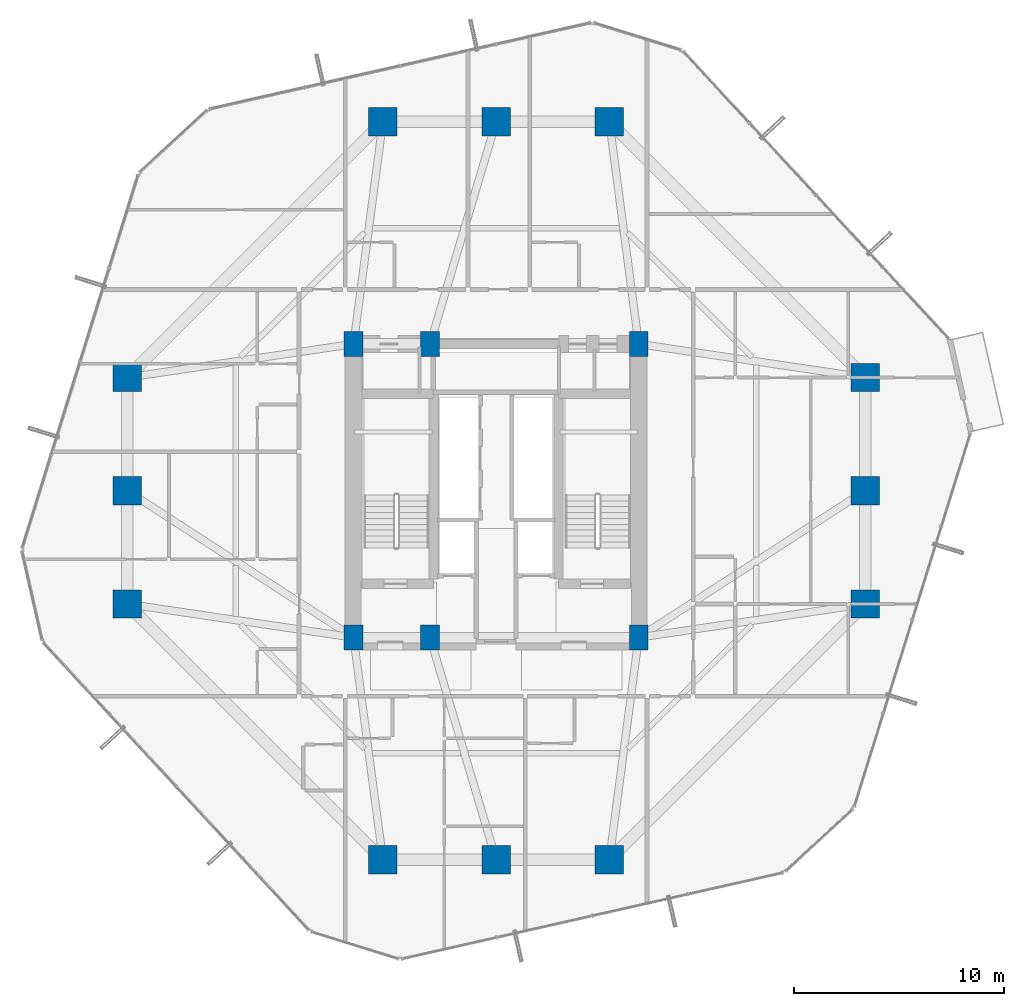
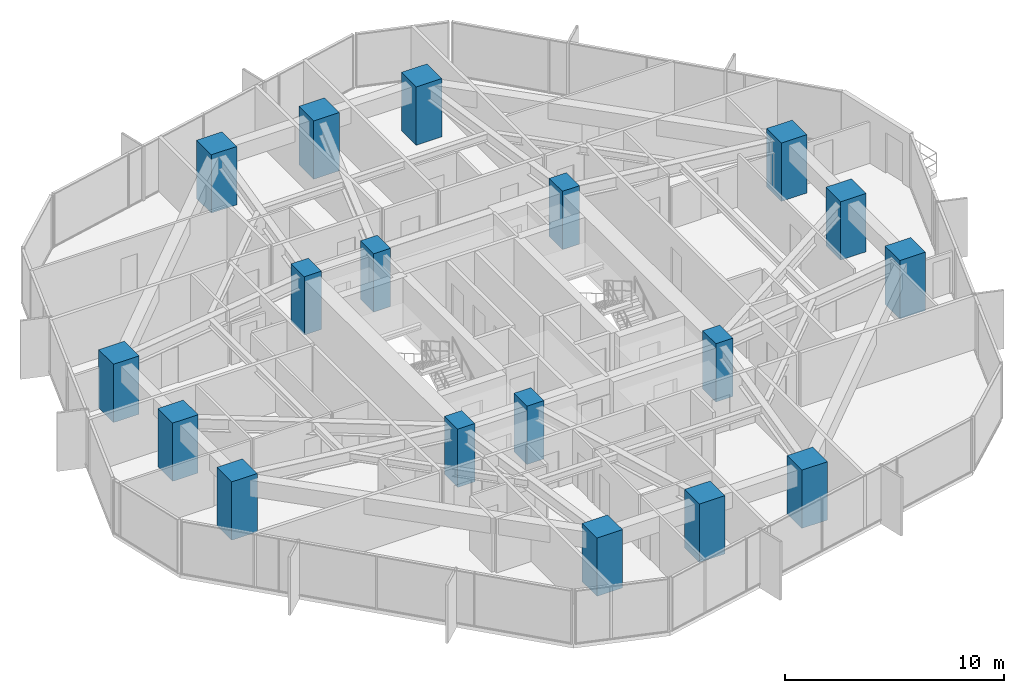
# One storey, part 1 of 39: 18 columns.
"""IFC4 building model written with IfcOpenShell, lengths in metres."""

from ifc_helpers import new_model, si_unit, direction, frame, origin, origin_2d, place, context, subcontext, project, spatial, rectangle, extrude, material, material_profile, profile_set, type_object, element, save


model = new_model("IFC4")

# Units and contexts
model_context = context("Model", 3, precision=1e-05, world=origin(), true_north=direction((0.0, 1.0)))
body_context = subcontext(model_context, "Body", "Model", "MODEL_VIEW")
ifc_project = project(units=[si_unit("LENGTHUNIT", "METRE"), si_unit("AREAUNIT", "SQUARE_METRE"), si_unit("VOLUMEUNIT", "CUBIC_METRE"), si_unit("PLANEANGLEUNIT", "RADIAN"), si_unit("MASSUNIT", "GRAM", prefix="KILO")], contexts=[model_context])

# Site, building, storey
site_placement = place(None, origin())
site = spatial("IfcSite", under=ifc_project, at=site_placement, CompositionType="ELEMENT")
building_placement = place(site_placement, origin())
building = spatial("IfcBuilding", under=site, at=building_placement, Name="Veraguas Prism Commons", CompositionType="ELEMENT")
storey_placement = place(building_placement, frame((0.0, 0.0, 67.35009765625)))
storey = spatial("IfcBuildingStorey", under=building, at=storey_placement, Name="L18", CompositionType="ELEMENT", Elevation=67.35009765625)

# Columns
ifc_material = material(Name="Concrete C60/75", Category="concrete")
ifc_material_profile_1 = material_profile(ifc_material, rectangle(XDim=1.35009765625, YDim=1.35009765625, at=origin_2d()), Name="RC1350X1350")
ifc_profile_set_1 = profile_set([ifc_material_profile_1], Name="Concrete C60/75")
column_type_1 = type_object("IfcColumnType", Name="Column Tube Z1 RC 1350x1350", PredefinedType="COLUMN", material=ifc_profile_set_1)
for number, where, z_axis, x_axis, name in (
    (1, (41.60009765625, 18.60009765625, 0.0), (0.0, 0.0, 1.0), (1.0, 0.0, 0.0), "Tower Perimeter Column L18-TB01"),
    (2, (41.60009765625, 24.0, 0.0), (0.0, 0.0, 1.0), (1.0, 0.0, 0.0), "Tower Perimeter Column L18-TB02"),
    (3, (41.60009765625, 29.39990234375, 0.0), (0.0, 0.0, 1.0), (1.0, 0.0, 0.0), "Tower Perimeter Column L18-TB03"),
    (4, (29.39990234375, 41.60009765625, 0.0), (0.0, 0.0, 1.0), (1.0, 0.0, 0.0), "Tower Perimeter Column L18-TB04"),
    (5, (24.0, 41.60009765625, 0.0), (0.0, 0.0, 1.0), (1.0, 0.0, 0.0), "Tower Perimeter Column L18-TB05"),
    (6, (18.60009765625, 41.60009765625, 0.0), (0.0, 0.0, 1.0), (1.0, 0.0, 0.0), "Tower Perimeter Column L18-TB06"),
    (7, (6.39990234375, 29.39990234375, 0.0), (0.0, 0.0, 1.0), (1.0, 0.0, 0.0), "Tower Perimeter Column L18-TB07"),
    (8, (6.39990234375, 24.0, 0.0), (0.0, 0.0, 1.0), (1.0, 0.0, 0.0), "Tower Perimeter Column L18-TB08"),
    (9, (6.39990234375, 18.60009765625, 0.0), (0.0, 0.0, 1.0), (1.0, 0.0, 0.0), "Tower Perimeter Column L18-TB09"),
    (10, (18.60009765625, 6.39990234375, 0.0), (0.0, 0.0, 1.0), (1.0, 0.0, 0.0), "Tower Perimeter Column L18-TB10"),
    (11, (24.0, 6.39990234375, 0.0), (0.0, 0.0, 1.0), (1.0, 0.0, 0.0), "Tower Perimeter Column L18-TB11"),
    (12, (29.39990234375, 6.39990234375, 0.0), (0.0, 0.0, 1.0), (1.0, 0.0, 0.0), "Tower Perimeter Column L18-TB12"),
):
    element("IfcColumn", number, at=place(storey_placement, frame(where, z_axis=z_axis, x_axis=x_axis)), inside=storey, type_object=column_type_1, Name=name, PredefinedType="COLUMN", context=body_context, shape_type="SweptSolid", body=[
        extrude(rectangle(XDim=1.35009765625, YDim=1.35009765625, at=origin_2d()), origin(), (0.0, 0.0, 1.0), 3.25),
    ])
ifc_material_profile_2 = material_profile(ifc_material, rectangle(XDim=0.89990234375, YDim=1.199951171875, at=origin_2d()), Name="RC900X1200")
ifc_profile_set_2 = profile_set([ifc_material_profile_2], Name="Concrete C60/75")
column_type_2 = type_object("IfcColumnType", Name="Pilaster Core Lower RC 900x1200", PredefinedType="PILASTER", material=ifc_profile_set_2)
for number, where, z_axis, x_axis, name in (
    (13, (17.199951171875, 17.0, 0.0), (0.0, 0.0, 1.0), (1.0, 0.0, 0.0), "Core Pilaster Column L18-CR1"),
    (14, (20.85009765625, 17.0, 0.0), (0.0, 0.0, 1.0), (1.0, 0.0, 0.0), "Core Pilaster Column L18-CR2"),
    (15, (30.800048828125, 17.0, 0.0), (0.0, 0.0, 1.0), (1.0, 0.0, 0.0), "Core Pilaster Column L18-CR3"),
    (16, (17.199951171875, 31.0, 0.0), (0.0, 0.0, 1.0), (1.0, 0.0, 0.0), "Core Pilaster Column L18-CR4"),
    (17, (20.85009765625, 31.0, 0.0), (0.0, 0.0, 1.0), (1.0, 0.0, 0.0), "Core Pilaster Column L18-CR5"),
    (18, (30.800048828125, 31.0, 0.0), (0.0, 0.0, 1.0), (1.0, 0.0, 0.0), "Core Pilaster Column L18-CR6"),
):
    element("IfcColumn", number, at=place(storey_placement, frame(where, z_axis=z_axis, x_axis=x_axis)), inside=storey, type_object=column_type_2, Name=name, PredefinedType="PILASTER", context=body_context, shape_type="SweptSolid", body=[
        extrude(rectangle(XDim=0.89990234375, YDim=1.199951171875, at=origin_2d()), origin(), (0.0, 0.0, 1.0), 3.25),
    ])

save(model, "model.ifc")
